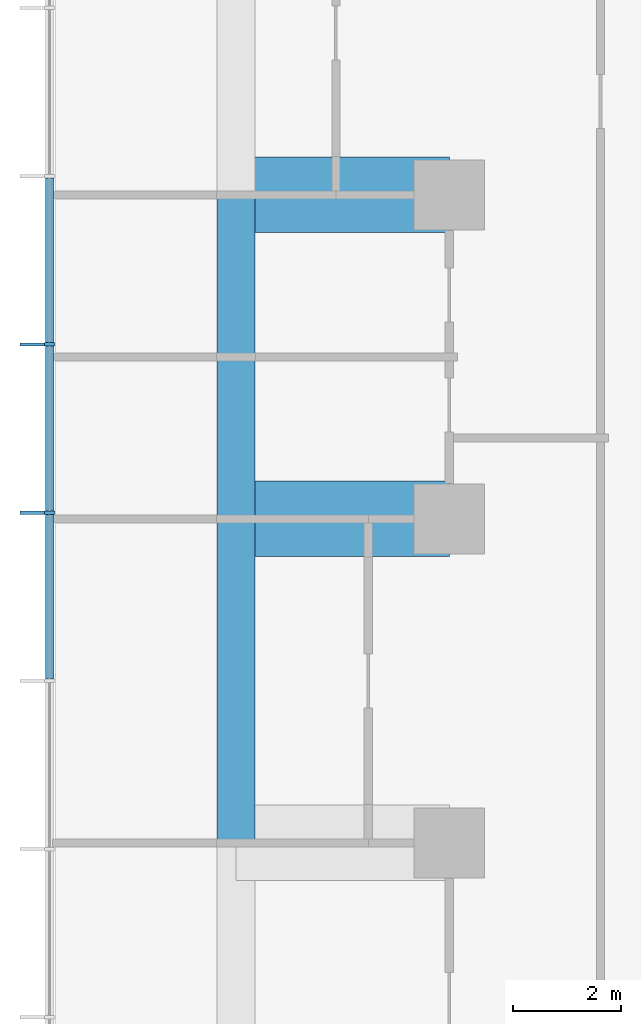
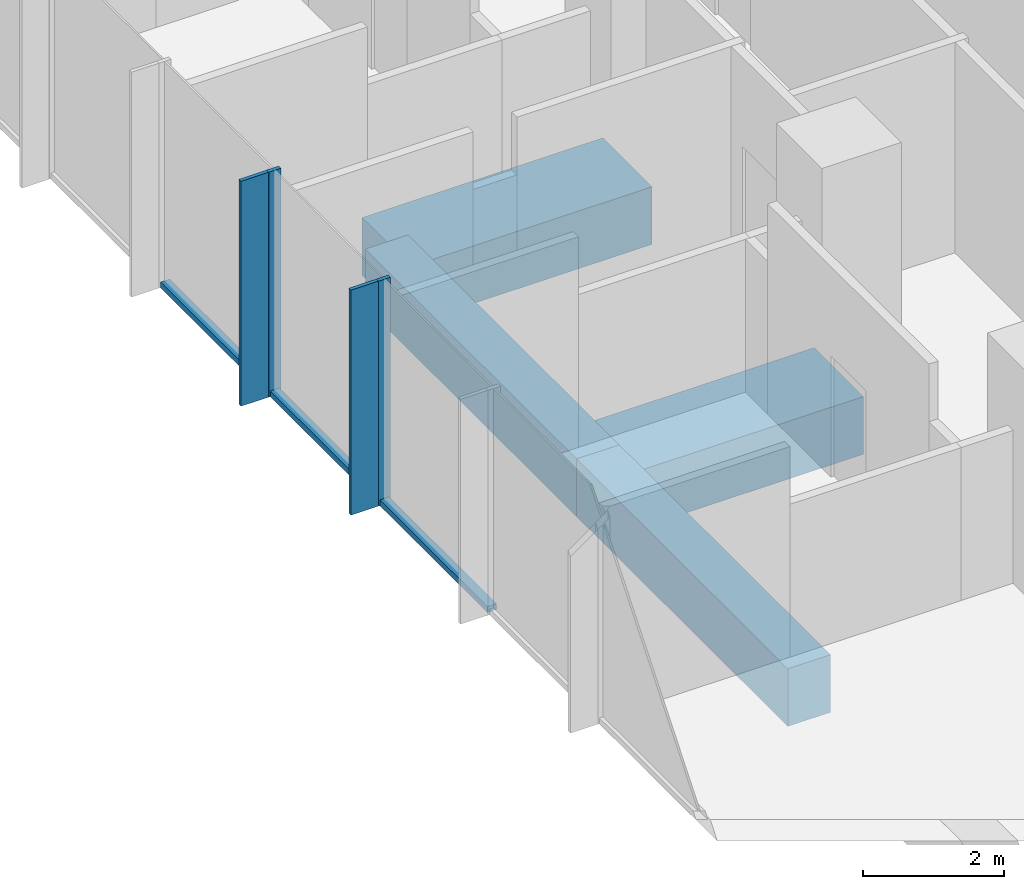
# One storey, part 3 of 11: 7 members, 4 beams, 1 element without a shape of its own.
"""IFC4 building model written with IfcOpenShell, lengths in metres."""

from ifc_helpers import new_model, si_unit, direction, frame, origin, origin_2d, place, context, subcontext, project, spatial, rectangle, extrude, material, layer, layer_set, material_profile, profile_set, type_object, element, aggregate, save


model = new_model("IFC4")

# Units and contexts
model_context = context("Model", 3, precision=1e-05, world=origin(), true_north=direction((0.0, 1.0)))
body_context = subcontext(model_context, "Body", "Model", "MODEL_VIEW")
ifc_project = project(units=[si_unit("LENGTHUNIT", "METRE"), si_unit("AREAUNIT", "SQUARE_METRE"), si_unit("VOLUMEUNIT", "CUBIC_METRE"), si_unit("PLANEANGLEUNIT", "RADIAN"), si_unit("MASSUNIT", "GRAM", prefix="KILO")], contexts=[model_context])

# Site, building, storey
site_placement = place(None, origin())
site = spatial("IfcSite", under=ifc_project, at=site_placement, CompositionType="ELEMENT")
building_placement = place(site_placement, origin())
building = spatial("IfcBuilding", under=site, at=building_placement, Name="Highveld Stack Headquarters", CompositionType="ELEMENT")
storey_placement = place(building_placement, frame((0.0, 0.0, 220.10009765625)))
storey = spatial("IfcBuildingStorey", under=building, at=storey_placement, Name="L54", CompositionType="ELEMENT", Elevation=220.10009765625)

# Beams
ifc_material_1 = material(Name="Concrete C60/75", Category="concrete")
ifc_material_profile_1 = material_profile(ifc_material_1, rectangle(XDim=1.39990234375, YDim=1.0, at=origin_2d()), Name="RC 1400x1000")
ifc_profile_set_1 = profile_set([ifc_material_profile_1], Name="Concrete C60/75")
beam_type_1 = type_object("IfcBeamType", Name="CANTILEVER RIB RC 1400x1000", PredefinedType="USERDEFINED", material=ifc_profile_set_1)
for number, where, z_axis, x_axis, name in (
    (1, (-12.0, 6.0, -0.75), (-1.0, 0.0, 0.0), (0.0, -1.0, 0.0), "Cantilever rib 4/F L54"),
    (2, (-12.0, 12.0, -0.75), (-1.0, 0.0, 0.0), (0.0, -1.0, 0.0), "Cantilever rib 4/G L54"),
):
    element("IfcBeam", number, at=place(storey_placement, frame(where, z_axis=z_axis, x_axis=x_axis)), inside=storey, type_object=beam_type_1, Name=name, ObjectType="CANTILEVER RIB", PredefinedType="USERDEFINED", context=body_context, shape_type="SweptSolid", body=[
        extrude(rectangle(XDim=1.39990234375, YDim=1.0, at=origin_2d()), origin(), (0.0, 0.0, 1.0), 3.949951171875),
    ])

# Curtain wall, members
ifc_material_2 = material(Name="Aluminium bronze anodised", Category="aluminium")
ifc_layer = layer(ifc_material_2, 0.199951171875)
ifc_layer_set = layer_set([ifc_layer], Name="Aluminium bronze anodised")
curtain_wall_type = type_object("IfcCurtainWallType", Name="CW1 TOWER UNITISED CURTAIN WALL", PredefinedType="NOTDEFINED", material=ifc_layer_set)
curtain_wall_placement = place(storey_placement, origin())
curtain_wall = element("IfcCurtainWall", 3, at=curtain_wall_placement, inside=storey, type_object=curtain_wall_type, Name="Curtain wall CW1 L54 W", PredefinedType="NOTDEFINED")
ifc_material_3 = material(Name="Aluminium bronze anodised", Category="aluminium")
ifc_material_profile_2 = material_profile(ifc_material_3, rectangle(XDim=0.449951171875, YDim=0.06005859375, at=origin_2d()), Name="FIN 450x60")
ifc_profile_set_2 = profile_set([ifc_material_profile_2], Name="Aluminium bronze anodised")
member_type_1 = type_object("IfcMemberType", Name="CW1 BRONZE FIN 450x60", PredefinedType="USERDEFINED", material=ifc_profile_set_2)
member_1_placement = place(storey_placement, frame((-19.72509765625, 9.23193359375, 0.0), z_axis=(0.0, 0.0, 1.0), x_axis=(1.0, 0.0, 0.0)))
member_1 = element("IfcMember", 4, at=member_1_placement, type_object=member_type_1, Name="CW1 fin L54 4", ObjectType="FIN", PredefinedType="USERDEFINED", context=body_context, shape_type="SweptSolid", body=[
    extrude(rectangle(XDim=0.449951171875, YDim=0.06005859375, at=origin_2d()), origin(), (0.0, 0.0, 1.0), 3.89990234375),
])
member_2_placement = place(storey_placement, frame((-19.72509765625, 6.115966796875, 0.0), z_axis=(0.0, 0.0, 1.0), x_axis=(1.0, 0.0, 0.0)))
member_2 = element("IfcMember", 5, at=member_2_placement, type_object=member_type_1, Name="CW1 fin L54 5", ObjectType="FIN", PredefinedType="USERDEFINED", context=body_context, shape_type="SweptSolid", body=[
    extrude(rectangle(XDim=0.449951171875, YDim=0.06005859375, at=origin_2d()), origin(), (0.0, 0.0, 1.0), 3.89990234375),
])
ifc_material_4 = material(Name="Aluminium bronze anodised", Category="aluminium")
ifc_material_profile_3 = material_profile(ifc_material_4, rectangle(XDim=0.199951171875, YDim=0.06494140625, at=origin_2d()), Name="CW1 MULLION 65x200")
ifc_profile_set_3 = profile_set([ifc_material_profile_3], Name="Aluminium bronze anodised")
member_type_2 = type_object("IfcMemberType", Name="CW1 MULLION 65x200", PredefinedType="MULLION", material=ifc_profile_set_3)
member_3_placement = place(storey_placement, frame((-19.39990234375, 9.23193359375, 0.0), z_axis=(0.0, 0.0, 1.0), x_axis=(1.0, 0.0, 0.0)))
member_3 = element("IfcMember", 6, at=member_3_placement, type_object=member_type_2, Name="CW1 mullion L54 4", PredefinedType="MULLION", context=body_context, shape_type="SweptSolid", body=[
    extrude(rectangle(XDim=0.199951171875, YDim=0.06494140625, at=origin_2d()), origin(), (0.0, 0.0, 1.0), 3.89990234375),
])
member_4_placement = place(storey_placement, frame((-19.39990234375, 6.115966796875, 0.0), z_axis=(0.0, 0.0, 1.0), x_axis=(1.0, 0.0, 0.0)))
member_4 = element("IfcMember", 7, at=member_4_placement, type_object=member_type_2, Name="CW1 mullion L54 5", PredefinedType="MULLION", context=body_context, shape_type="SweptSolid", body=[
    extrude(rectangle(XDim=0.199951171875, YDim=0.06494140625, at=origin_2d()), origin(), (0.0, 0.0, 1.0), 3.89990234375),
])
ifc_material_5 = material(Name="Aluminium bronze anodised", Category="aluminium")
ifc_material_profile_4 = material_profile(ifc_material_5, rectangle(XDim=0.14990234375, YDim=0.10009765625, at=origin_2d()), Name="CW1 TRANSOM 150x100")
ifc_profile_set_4 = profile_set([ifc_material_profile_4], Name="Aluminium bronze anodised")
member_type_3 = type_object("IfcMemberType", Name="CW1 STACK TRANSOM 150x100", PredefinedType="USERDEFINED", material=ifc_profile_set_4)
member_5_placement = place(storey_placement, frame((-19.39990234375, 12.3154296875, 0.0498046875), z_axis=(0.0, -1.0, 0.0), x_axis=(1.0, 0.0, 0.0)))
member_5 = element("IfcMember", 8, at=member_5_placement, type_object=member_type_3, Name="CW1 transom L54 3.1", ObjectType="TRANSOM", PredefinedType="USERDEFINED", context=body_context, shape_type="SweptSolid", body=[
    extrude(rectangle(XDim=0.14990234375, YDim=0.10009765625, at=origin_2d()), origin(), (0.0, 0.0, 1.0), 3.051025390625),
])
member_6_placement = place(storey_placement, frame((-19.39990234375, 9.199462890625, 0.0498046875), z_axis=(0.0, -1.0, 0.0), x_axis=(1.0, 0.0, 0.0)))
member_6 = element("IfcMember", 9, at=member_6_placement, type_object=member_type_3, Name="CW1 transom L54 4.1", ObjectType="TRANSOM", PredefinedType="USERDEFINED", context=body_context, shape_type="SweptSolid", body=[
    extrude(rectangle(XDim=0.14990234375, YDim=0.10009765625, at=origin_2d()), origin(), (0.0, 0.0, 1.0), 3.051025390625),
])
member_7_placement = place(storey_placement, frame((-19.39990234375, 6.08349609375, 0.0498046875), z_axis=(0.0, -1.0, 0.0), x_axis=(1.0, 0.0, 0.0)))
member_7 = element("IfcMember", 10, at=member_7_placement, type_object=member_type_3, Name="CW1 transom L54 5.1", ObjectType="TRANSOM", PredefinedType="USERDEFINED", context=body_context, shape_type="SweptSolid", body=[
    extrude(rectangle(XDim=0.14990234375, YDim=0.10009765625, at=origin_2d()), origin(), (0.0, 0.0, 1.0), 3.051025390625),
])
aggregate(curtain_wall, [member_3, member_1, member_4, member_2, member_5, member_6, member_7])

# Beams
ifc_material_6 = material(Name="Concrete C60/75", Category="concrete")
ifc_material_profile_5 = material_profile(ifc_material_6, rectangle(XDim=0.699951171875, YDim=1.0, at=origin_2d()), Name="RC 700x1000")
ifc_profile_set_5 = profile_set([ifc_material_profile_5], Name="Concrete C60/75")
beam_type_2 = type_object("IfcBeamType", Name="RIB TIP BEAM RC 700x1000", PredefinedType="SPANDREL", material=ifc_profile_set_5)
for number, where, z_axis, x_axis, name in (
    (11, (-15.949951171875, 0.0, -0.75), (0.0, 1.0, 0.0), (-1.0, 0.0, 0.0), "Rib tip beam 4/E to 4/F L54"),
    (12, (-15.949951171875, 6.0, -0.75), (0.0, 1.0, 0.0), (-1.0, 0.0, 0.0), "Rib tip beam 4/F to 4/G L54"),
):
    element("IfcBeam", number, at=place(storey_placement, frame(where, z_axis=z_axis, x_axis=x_axis)), inside=storey, type_object=beam_type_2, Name=name, PredefinedType="SPANDREL", context=body_context, shape_type="SweptSolid", body=[
        extrude(rectangle(XDim=0.699951171875, YDim=1.0, at=origin_2d()), origin(), (0.0, 0.0, 1.0), 6.0),
    ])

save(model, "model.ifc")
